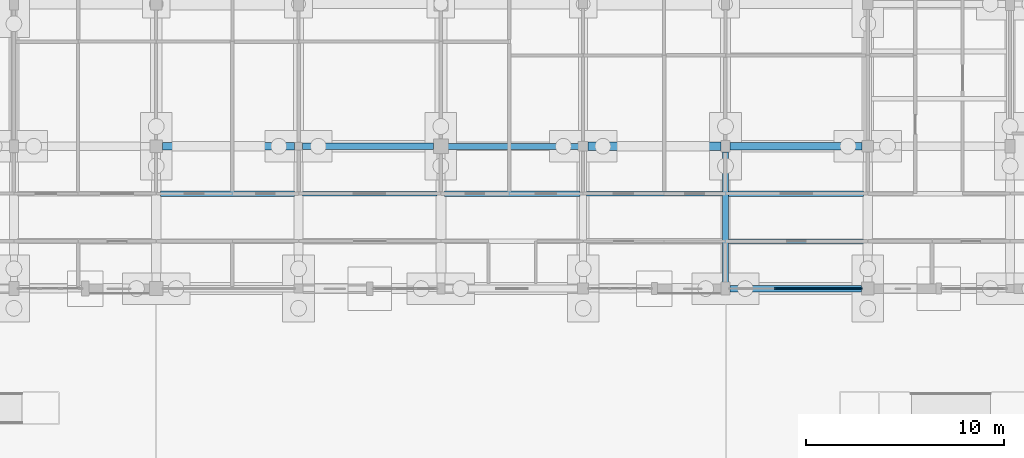
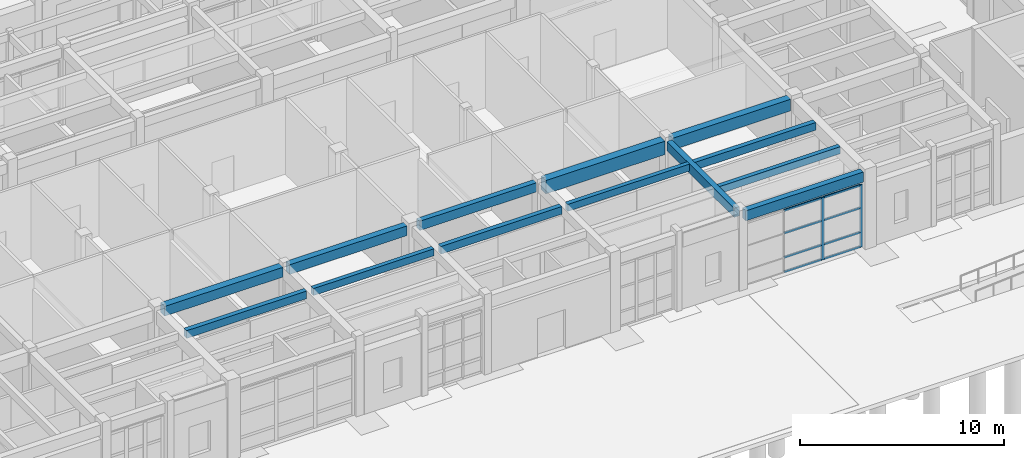
# One storey, part 42 of 143: 13 beams, 10 members, 1 element without a shape of its own.
"""IFC4 building model written with IfcOpenShell, lengths in metres."""

from ifc_helpers import new_model, si_unit, direction, frame, origin, origin_2d, place, context, subcontext, project, spatial, rectangle, extrude, material, material_profile, profile_set, type_object, element, aggregate, save


model = new_model("IFC4")

# Units and contexts
model_context = context("Model", 3, precision=1e-05, world=origin(), true_north=direction((0.0, 1.0)))
body_context = subcontext(model_context, "Body", "Model", "MODEL_VIEW")
ifc_project = project(units=[si_unit("LENGTHUNIT", "METRE"), si_unit("AREAUNIT", "SQUARE_METRE"), si_unit("VOLUMEUNIT", "CUBIC_METRE"), si_unit("PLANEANGLEUNIT", "RADIAN"), si_unit("MASSUNIT", "GRAM", prefix="KILO")], contexts=[model_context])

# Site, building, storey
site_placement = place(None, origin())
site = spatial("IfcSite", under=ifc_project, at=site_placement, CompositionType="ELEMENT")
building_placement = place(site_placement, origin())
building = spatial("IfcBuilding", under=site, at=building_placement, Name="Steenspoor Specialist Clinic", CompositionType="ELEMENT")
storey_placement = place(building_placement, origin())
storey = spatial("IfcBuildingStorey", under=building, at=storey_placement, Name="L00", CompositionType="ELEMENT", Elevation=0.0)

# Beams
ifc_material_1 = material(Name="Concrete C35/45", Category="concrete")
ifc_material_profile_1 = material_profile(ifc_material_1, rectangle(XDim=0.300048828125, YDim=0.550048828125, at=origin_2d()), Name="RC-BM-300X550")
ifc_profile_set_1 = profile_set([ifc_material_profile_1], Name="Concrete C35/45")
beam_type_1 = type_object("IfcBeamType", Name="BM-RC-300X550", PredefinedType="BEAM", material=ifc_profile_set_1)
for number, where, z_axis, x_axis, name in (
    (1, (81.570068359375, 20.25, 4.27490234375), (1.0, 0.0, 0.0), (0.0, 1.0, 0.0), "BM-V1-L00-X0013"),
    (2, (95.60009765625, 13.3701171875, 4.27490234375), (0.0, 1.0, 0.0), (-1.0, 0.0, 0.0), "BM-V1-L00-Y0058"),
):
    element("IfcBeam", number, at=place(storey_placement, frame(where, z_axis=z_axis, x_axis=x_axis)), inside=storey, type_object=beam_type_1, Name=name, PredefinedType="BEAM", context=body_context, shape_type="SweptSolid", body=[
        extrude(rectangle(XDim=0.300048828125, YDim=0.550048828125, at=origin_2d()), origin(), (0.0, 0.0, 1.0), 6.5849609375),
    ])
ifc_material_profile_2 = material_profile(ifc_material_1, rectangle(XDim=0.35009765625, YDim=0.580078125, at=origin_2d()), Name="RC-BM-350X580")
ifc_profile_set_2 = profile_set([ifc_material_profile_2], Name="Concrete C35/45")
beam_type_2 = type_object("IfcBeamType", Name="BM-RC-350X580", PredefinedType="BEAM", material=ifc_profile_set_2)
beam_1_placement = place(storey_placement, frame((74.195068359375, 20.25, 4.260009765625), z_axis=(1.0, 0.0, 0.0), x_axis=(0.0, 1.0, 0.0)))
element("IfcBeam", 3, at=beam_1_placement, inside=storey, type_object=beam_type_2, Name="BM-V1-L00-X0012", PredefinedType="BEAM", context=body_context, shape_type="SweptSolid", body=[
    extrude(rectangle(XDim=0.35009765625, YDim=0.580078125, at=origin_2d()), origin(), (0.0, 0.0, 1.0), 6.635009765625),
])
ifc_material_profile_3 = material_profile(ifc_material_1, rectangle(XDim=0.39990234375, YDim=0.580078125, at=origin_2d()), Name="RC-BM-400X580")
ifc_profile_set_3 = profile_set([ifc_material_profile_3], Name="Concrete C35/45")
beam_type_3 = type_object("IfcBeamType", Name="BM-RC-400X580", PredefinedType="BEAM", material=ifc_profile_set_3)
beam_2_placement = place(storey_placement, frame((67.1201171875, 20.25, 4.260009765625), z_axis=(1.0, 0.0, 0.0), x_axis=(0.0, 1.0, 0.0)))
element("IfcBeam", 4, at=beam_2_placement, inside=storey, type_object=beam_type_3, Name="BM-V1-L00-X0011", PredefinedType="BEAM", context=body_context, shape_type="SweptSolid", body=[
    extrude(rectangle(XDim=0.39990234375, YDim=0.580078125, at=origin_2d()), origin(), (0.0, 0.0, 1.0), 6.684814453125),
])
ifc_material_profile_4 = material_profile(ifc_material_1, rectangle(XDim=0.39990234375, YDim=0.699951171875, at=origin_2d()), Name="RC-BM-400X700")
ifc_profile_set_4 = profile_set([ifc_material_profile_4], Name="Concrete C35/45")
beam_type_4 = type_object("IfcBeamType", Name="BM-RC-400X700", PredefinedType="BEAM", material=ifc_profile_set_4)
beam_3_placement = place(storey_placement, frame((95.820068359375, 20.25, 4.199951171875), z_axis=(1.0, 0.0, 0.0), x_axis=(0.0, 1.0, 0.0)))
element("IfcBeam", 5, at=beam_3_placement, inside=storey, type_object=beam_type_4, Name="BM-V1-L00-X0015", PredefinedType="BEAM", context=body_context, shape_type="SweptSolid", body=[
    extrude(rectangle(XDim=0.39990234375, YDim=0.699951171875, at=origin_2d()), origin(), (0.0, 0.0, 1.0), 6.684814453125),
])
ifc_material_profile_5 = material_profile(ifc_material_1, rectangle(XDim=0.449951171875, YDim=0.800048828125, at=origin_2d()), Name="RC-BM-450X800")
ifc_profile_set_5 = profile_set([ifc_material_profile_5], Name="Concrete C35/45")
beam_type_5 = type_object("IfcBeamType", Name="BM-RC-450X800", PredefinedType="BEAM", material=ifc_profile_set_5)
beam_4_placement = place(storey_placement, frame((88.64501953125, 20.25, 4.14990234375), z_axis=(1.0, 0.0, 0.0), x_axis=(0.0, 1.0, 0.0)))
element("IfcBeam", 6, at=beam_4_placement, inside=storey, type_object=beam_type_5, Name="BM-V1-L00-X0014", PredefinedType="BEAM", context=body_context, shape_type="SweptSolid", body=[
    extrude(rectangle(XDim=0.449951171875, YDim=0.800048828125, at=origin_2d()), origin(), (0.0, 0.0, 1.0), 6.73486328125),
])

# Curtain wall, members
ifc_material_2 = material(Name="Thermally broken aluminium and low-emissivity glass", Category="aluminium")
curtain_wall_type = type_object("IfcCurtainWallType", Name="CW-HALL-650X820", PredefinedType="USERDEFINED", material=ifc_material_2)
curtain_wall_placement = place(storey_placement, origin())
curtain_wall = element("IfcCurtainWall", 7, at=curtain_wall_placement, inside=storey, type_object=curtain_wall_type, Name="Unitised Curtain Wall CW-V1-L00-002", ObjectType="UNITISED GLAZING", PredefinedType="USERDEFINED")
ifc_material_3 = material(Name="Thermally broken aluminium 6063-T6", Category="aluminium")
ifc_material_profile_6 = material_profile(ifc_material_3, rectangle(XDim=0.070068359375, YDim=0.1650390625, at=origin_2d()), Name="CWM-70X165")
ifc_profile_set_6 = profile_set([ifc_material_profile_6], Name="Thermally broken aluminium 6063-T6")
member_type_1 = type_object("IfcMemberType", Name="CW-MULL-70X165", PredefinedType="MULLION", material=ifc_profile_set_6)
member_1_placement = place(storey_placement, frame((102.43994140625, 13.050048828125, 0.0), z_axis=(0.0, 0.0, 1.0), x_axis=(0.0, -1.0, 0.0)))
member_1 = element("IfcMember", 8, at=member_1_placement, type_object=member_type_1, Name="CW-02 mullion 1", PredefinedType="MULLION", context=body_context, shape_type="SweptSolid", body=[
    extrude(rectangle(XDim=0.070068359375, YDim=0.1650390625, at=origin_2d()), origin(), (0.0, 0.0, 1.0), 3.72998046875),
])
member_2_placement = place(storey_placement, frame((100.25830078125, 13.050048828125, 0.0), z_axis=(0.0, 0.0, 1.0), x_axis=(0.0, -1.0, 0.0)))
member_2 = element("IfcMember", 9, at=member_2_placement, type_object=member_type_1, Name="CW-02 mullion 2", PredefinedType="MULLION", context=body_context, shape_type="SweptSolid", body=[
    extrude(rectangle(XDim=0.070068359375, YDim=0.1650390625, at=origin_2d()), origin(), (0.0, 0.0, 1.0), 3.72998046875),
])
ifc_material_profile_7 = material_profile(ifc_material_3, rectangle(XDim=0.06494140625, YDim=0.1298828125, at=origin_2d()), Name="CWT-65X130")
ifc_profile_set_7 = profile_set([ifc_material_profile_7], Name="Thermally broken aluminium 6063-T6")
member_type_2 = type_object("IfcMemberType", Name="CW-TRAN-65X130", PredefinedType="USERDEFINED", material=ifc_profile_set_7)
member_3_placement = place(storey_placement, frame((102.405029296875, 13.050048828125, 0.032470703125), z_axis=(-1.0, 0.0, 0.0), x_axis=(0.0, -1.0, 0.0)))
member_3 = element("IfcMember", 10, at=member_3_placement, type_object=member_type_2, Name="CW-02 transom 1.1", ObjectType="TRANSOM", PredefinedType="USERDEFINED", context=body_context, shape_type="SweptSolid", body=[
    extrude(rectangle(XDim=0.06494140625, YDim=0.1298828125, at=origin_2d()), origin(), (0.0, 0.0, 1.0), 2.11181640625),
])
member_4_placement = place(storey_placement, frame((102.405029296875, 13.050048828125, 0.89990234375), z_axis=(-1.0, 0.0, 0.0), x_axis=(0.0, -1.0, 0.0)))
member_4 = element("IfcMember", 11, at=member_4_placement, type_object=member_type_2, Name="CW-02 transom 1.2", ObjectType="TRANSOM", PredefinedType="USERDEFINED", context=body_context, shape_type="SweptSolid", body=[
    extrude(rectangle(XDim=0.06494140625, YDim=0.1298828125, at=origin_2d()), origin(), (0.0, 0.0, 1.0), 2.11181640625),
])
member_5_placement = place(storey_placement, frame((102.405029296875, 13.050048828125, 2.35009765625), z_axis=(-1.0, 0.0, 0.0), x_axis=(0.0, -1.0, 0.0)))
member_5 = element("IfcMember", 12, at=member_5_placement, type_object=member_type_2, Name="CW-02 transom 1.3", ObjectType="TRANSOM", PredefinedType="USERDEFINED", context=body_context, shape_type="SweptSolid", body=[
    extrude(rectangle(XDim=0.06494140625, YDim=0.1298828125, at=origin_2d()), origin(), (0.0, 0.0, 1.0), 2.11181640625),
])
member_6_placement = place(storey_placement, frame((102.405029296875, 13.050048828125, 3.697509765625), z_axis=(-1.0, 0.0, 0.0), x_axis=(0.0, -1.0, 0.0)))
member_6 = element("IfcMember", 13, at=member_6_placement, type_object=member_type_2, Name="CW-02 transom 1.4", ObjectType="TRANSOM", PredefinedType="USERDEFINED", context=body_context, shape_type="SweptSolid", body=[
    extrude(rectangle(XDim=0.06494140625, YDim=0.1298828125, at=origin_2d()), origin(), (0.0, 0.0, 1.0), 2.11181640625),
])
member_7_placement = place(storey_placement, frame((100.223388671875, 13.050048828125, 0.032470703125), z_axis=(-1.0, 0.0, 0.0), x_axis=(0.0, -1.0, 0.0)))
member_7 = element("IfcMember", 14, at=member_7_placement, type_object=member_type_2, Name="CW-02 transom 2.1", ObjectType="TRANSOM", PredefinedType="USERDEFINED", context=body_context, shape_type="SweptSolid", body=[
    extrude(rectangle(XDim=0.06494140625, YDim=0.1298828125, at=origin_2d()), origin(), (0.0, 0.0, 1.0), 2.146728515625),
])
member_8_placement = place(storey_placement, frame((100.223388671875, 13.050048828125, 0.89990234375), z_axis=(-1.0, 0.0, 0.0), x_axis=(0.0, -1.0, 0.0)))
member_8 = element("IfcMember", 15, at=member_8_placement, type_object=member_type_2, Name="CW-02 transom 2.2", ObjectType="TRANSOM", PredefinedType="USERDEFINED", context=body_context, shape_type="SweptSolid", body=[
    extrude(rectangle(XDim=0.06494140625, YDim=0.1298828125, at=origin_2d()), origin(), (0.0, 0.0, 1.0), 2.146728515625),
])
member_9_placement = place(storey_placement, frame((100.223388671875, 13.050048828125, 2.35009765625), z_axis=(-1.0, 0.0, 0.0), x_axis=(0.0, -1.0, 0.0)))
member_9 = element("IfcMember", 16, at=member_9_placement, type_object=member_type_2, Name="CW-02 transom 2.3", ObjectType="TRANSOM", PredefinedType="USERDEFINED", context=body_context, shape_type="SweptSolid", body=[
    extrude(rectangle(XDim=0.06494140625, YDim=0.1298828125, at=origin_2d()), origin(), (0.0, 0.0, 1.0), 2.146728515625),
])
member_10_placement = place(storey_placement, frame((100.223388671875, 13.050048828125, 3.697509765625), z_axis=(-1.0, 0.0, 0.0), x_axis=(0.0, -1.0, 0.0)))
member_10 = element("IfcMember", 17, at=member_10_placement, type_object=member_type_2, Name="CW-02 transom 2.4", ObjectType="TRANSOM", PredefinedType="USERDEFINED", context=body_context, shape_type="SweptSolid", body=[
    extrude(rectangle(XDim=0.06494140625, YDim=0.1298828125, at=origin_2d()), origin(), (0.0, 0.0, 1.0), 2.146728515625),
])
aggregate(curtain_wall, [member_1, member_2, member_3, member_4, member_5, member_6, member_7, member_8, member_9, member_10])

# Beams
ifc_material_profile_8 = material_profile(ifc_material_1, rectangle(XDim=0.239990234375, YDim=0.419921875, at=origin_2d()), Name="RC-JT-240X420")
ifc_profile_set_8 = profile_set([ifc_material_profile_8], Name="Concrete C35/45")
beam_type_6 = type_object("IfcBeamType", Name="JT-RC-240X420", PredefinedType="JOIST", material=ifc_profile_set_8)
beam_5_placement = place(storey_placement, frame((74.195068359375, 17.85009765625, 4.340087890625), z_axis=(1.0, 0.0, 0.0), x_axis=(0.0, 1.0, 0.0)))
element("IfcBeam", 18, at=beam_5_placement, inside=storey, type_object=beam_type_6, Name="JT-V1-L00-0088", PredefinedType="JOIST", context=body_context, shape_type="SweptSolid", body=[
    extrude(rectangle(XDim=0.239990234375, YDim=0.419921875, at=origin_2d()), origin(), (0.0, 0.0, 1.0), 6.809814453125),
])
beam_6_placement = place(storey_placement, frame((88.570068359375, 17.85009765625, 4.340087890625), z_axis=(1.0, 0.0, 0.0), x_axis=(0.0, 1.0, 0.0)))
element("IfcBeam", 19, at=beam_6_placement, inside=storey, type_object=beam_type_6, Name="JT-V1-L00-0096", PredefinedType="JOIST", context=body_context, shape_type="SweptSolid", body=[
    extrude(rectangle(XDim=0.239990234375, YDim=0.419921875, at=origin_2d()), origin(), (0.0, 0.0, 1.0), 6.885009765625),
])
beam_7_placement = place(storey_placement, frame((95.7451171875, 15.449951171875, 4.340087890625), z_axis=(1.0, 0.0, 0.0), x_axis=(0.0, 1.0, 0.0)))
element("IfcBeam", 20, at=beam_7_placement, inside=storey, type_object=beam_type_6, Name="JT-V1-L00-0099", PredefinedType="JOIST", context=body_context, shape_type="SweptSolid", body=[
    extrude(rectangle(XDim=0.239990234375, YDim=0.419921875, at=origin_2d()), origin(), (0.0, 0.0, 1.0), 6.8349609375),
])
ifc_material_profile_9 = material_profile(ifc_material_1, rectangle(XDim=0.260009765625, YDim=0.4599609375, at=origin_2d()), Name="RC-JT-260X460")
ifc_profile_set_9 = profile_set([ifc_material_profile_9], Name="Concrete C35/45")
beam_type_7 = type_object("IfcBeamType", Name="JT-RC-260X460", PredefinedType="JOIST", material=ifc_profile_set_9)
beam_8_placement = place(storey_placement, frame((67.02001953125, 17.85009765625, 4.320068359375), z_axis=(1.0, 0.0, 0.0), x_axis=(0.0, 1.0, 0.0)))
element("IfcBeam", 21, at=beam_8_placement, inside=storey, type_object=beam_type_7, Name="JT-V1-L00-0084", PredefinedType="JOIST", context=body_context, shape_type="SweptSolid", body=[
    extrude(rectangle(XDim=0.260009765625, YDim=0.4599609375, at=origin_2d()), origin(), (0.0, 0.0, 1.0), 6.784912109375),
])
for number, where, z_axis, x_axis, name in (
    (22, (81.39501953125, 17.85009765625, 4.320068359375), (1.0, 0.0, 0.0), (0.0, 1.0, 0.0), "JT-V1-L00-0092"),
    (23, (95.7451171875, 17.85009765625, 4.320068359375), (1.0, 0.0, 0.0), (0.0, 1.0, 0.0), "JT-V1-L00-0100"),
):
    element("IfcBeam", number, at=place(storey_placement, frame(where, z_axis=z_axis, x_axis=x_axis)), inside=storey, type_object=beam_type_7, Name=name, PredefinedType="JOIST", context=body_context, shape_type="SweptSolid", body=[
        extrude(rectangle(XDim=0.260009765625, YDim=0.4599609375, at=origin_2d()), origin(), (0.0, 0.0, 1.0), 6.8349609375),
    ])
ifc_material_profile_10 = material_profile(ifc_material_1, rectangle(XDim=0.320068359375, YDim=0.60009765625, at=origin_2d()), Name="RC-SP-320X600")
ifc_profile_set_10 = profile_set([ifc_material_profile_10], Name="Concrete C35/45")
beam_type_8 = type_object("IfcBeamType", Name="SP-RC-320X600", PredefinedType="SPANDREL", material=ifc_profile_set_10)
beam_9_placement = place(storey_placement, frame((95.820068359375, 13.050048828125, 4.25), z_axis=(1.0, 0.0, 0.0), x_axis=(0.0, 1.0, 0.0)))
element("IfcBeam", 24, at=beam_9_placement, inside=storey, type_object=beam_type_8, Name="BM-V1-L00-X0007", PredefinedType="SPANDREL", context=body_context, shape_type="SweptSolid", body=[
    extrude(rectangle(XDim=0.320068359375, YDim=0.60009765625, at=origin_2d()), origin(), (0.0, 0.0, 1.0), 6.659912109375),
])

save(model, "model.ifc")
